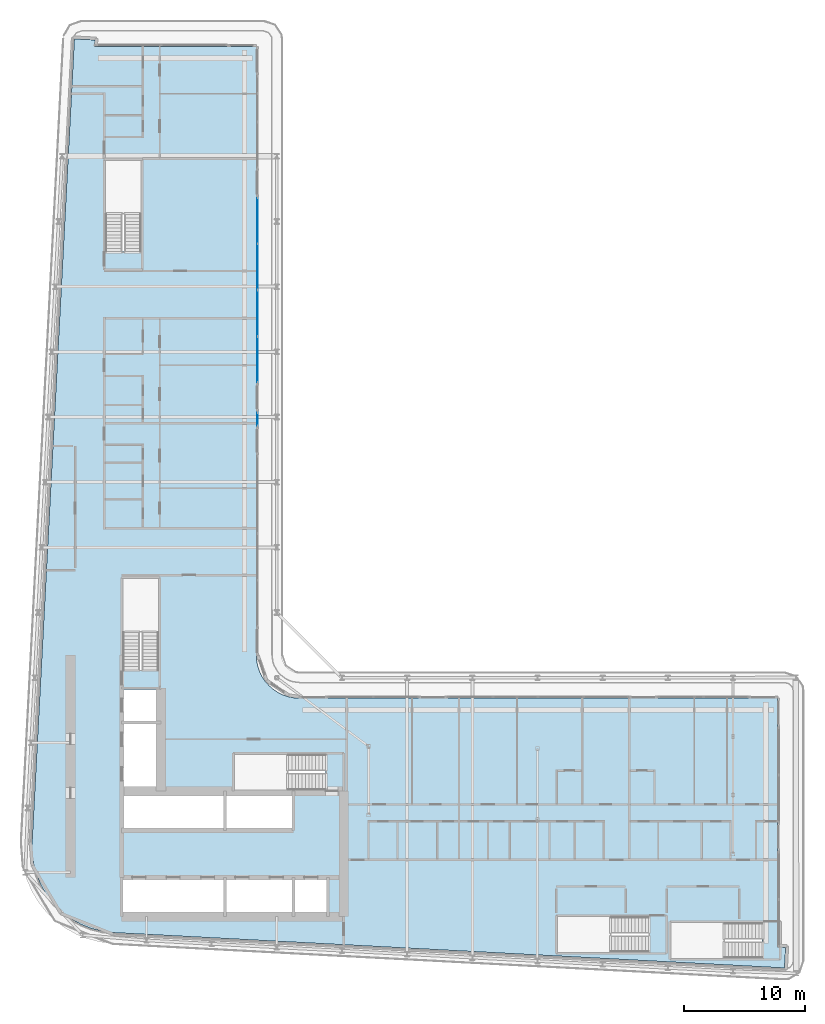
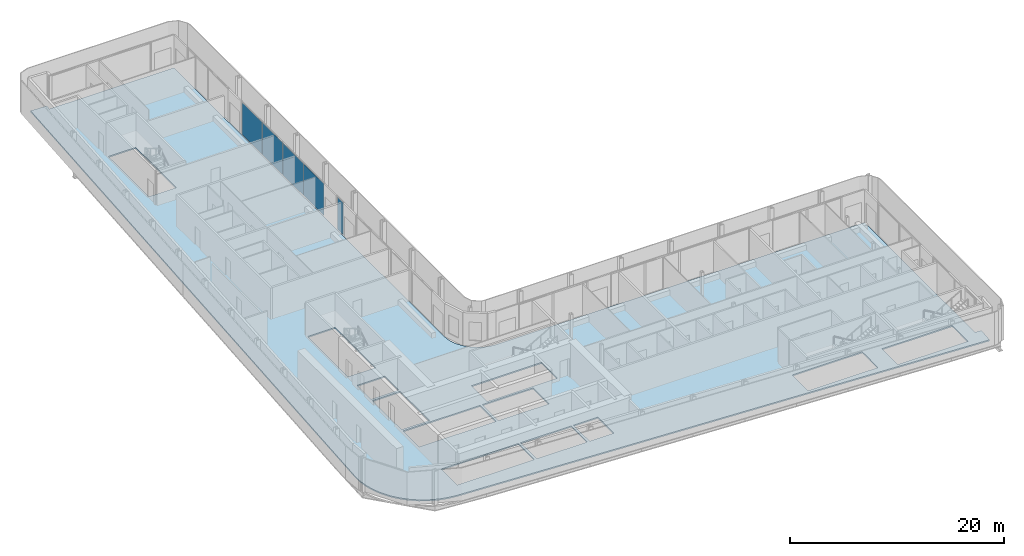
# One storey, part 11 of 26: 5 plates, 1 slab, 3 elements without a shape of their own.
"""IFC4 building model written with IfcOpenShell, lengths in metres."""

import ifcopenshell
import ifcopenshell.guid

model = None  # the IFC model being written
_history = None  # IfcOwnerHistory: only IFC2X3 demands one
_inside = {}  # id of a spatial element -> (the spatial element, [elements in it])
_under = {}  # id of a project, library or spatial element -> (it, [spatial elements below it])
_declared = {}  # id of a project -> (the project, [libraries it declares])
_typed = {}  # id of a type object -> (the type object, [elements of that type])
_made_of = {}  # id of a material, layer set ... -> (it, [elements and type objects made of it])


def new_model(schema):
    """Start an empty IFC model of exactly this schema.

    Asked for "IFC4X3", IfcOpenShell would pick the latest addendum, in which some entities
    have other attributes; the version numbers below select the first issue.
    IFC2X3 requires an IfcOwnerHistory on every rooted entity: one is made here for all.
    """
    global model, _history
    if schema == "IFC4X3":
        model = ifcopenshell.file(schema_version=(4, 3, 0, 0))
    else:
        model = ifcopenshell.file(schema=schema)
    _inside.clear()
    _under.clear()
    _declared.clear()
    _typed.clear()
    _made_of.clear()
    _history = None
    if model.schema == "IFC2X3":
        org = make("IfcOrganization", Name="unknown")
        user = make(
            "IfcPersonAndOrganization",
            ThePerson=make("IfcPerson", FamilyName="unknown"),
            TheOrganization=org,
        )
        app = make(
            "IfcApplication",
            ApplicationDeveloper=org,
            Version="unknown",
            ApplicationFullName="unknown",
            ApplicationIdentifier="unknown",
        )
        _history = make(
            "IfcOwnerHistory",
            OwningUser=user,
            OwningApplication=app,
            ChangeAction="ADDED",
            CreationDate=0,
        )
    return model


def make(cls, **values):
    """One entity of the class cls with the attributes given. An attribute that is None is left unset."""
    return model.create_entity(
        cls, **{name: value for name, value in values.items() if value is not None}
    )


def rooted(cls, **values):
    """An entity with a GlobalId (a new one), such as an element, a storey or a relation."""
    return make(cls, GlobalId=ifcopenshell.guid.new(), OwnerHistory=_history, **values)


def si_unit(unit_type, name, prefix=None):
    """IfcSIUnit, for example si_unit("LENGTHUNIT", "METRE", prefix="MILLI")."""
    return make("IfcSIUnit", UnitType=unit_type, Prefix=prefix, Name=name)


def assignment(units):
    """IfcUnitAssignment: the units of a project."""
    return None if units is None else make("IfcUnitAssignment", Units=units)


def point(xyz):
    """IfcCartesianPoint."""
    return None if xyz is None else make("IfcCartesianPoint", Coordinates=xyz)


def direction(xyz):
    """IfcDirection."""
    return None if xyz is None else make("IfcDirection", DirectionRatios=xyz)


def frame(location, z_axis=None, x_axis=None):
    """IfcAxis2Placement3D, a coordinate frame: its origin and axes. An axis left out is left unset."""
    return make(
        "IfcAxis2Placement3D",
        Location=point(location),
        Axis=direction(z_axis),
        RefDirection=direction(x_axis),
    )


def frame_2d(location, x_axis=None):
    """IfcAxis2Placement2D, a coordinate frame in the plane: its origin and x axis."""
    return make(
        "IfcAxis2Placement2D", Location=point(location), RefDirection=direction(x_axis)
    )


def origin():
    """The frame at (0, 0, 0) with its axes left unset."""
    return frame((0.0, 0.0, 0.0))


def origin_2d():
    """The frame at (0, 0) in the plane with its x axis left unset."""
    return frame_2d((0.0, 0.0))


def place(relative_to, where):
    """IfcLocalPlacement: puts the frame where relative to a parent placement (None: the world)."""
    return make(
        "IfcLocalPlacement", PlacementRelTo=relative_to, RelativePlacement=where
    )


def context(
    kind, dimensions, precision=None, world=None, true_north=None, identifier=None
):
    """IfcGeometricRepresentationContext, for example the 3D "Model" context."""
    return make(
        "IfcGeometricRepresentationContext",
        ContextIdentifier=identifier,
        ContextType=kind,
        CoordinateSpaceDimension=dimensions,
        Precision=precision,
        WorldCoordinateSystem=world,
        TrueNorth=true_north,
    )


def subcontext(parent, identifier, kind, view, scale=None):
    """IfcGeometricRepresentationSubContext, for example "Body" below "Model"."""
    return make(
        "IfcGeometricRepresentationSubContext",
        ContextIdentifier=identifier,
        ContextType=kind,
        ParentContext=parent,
        TargetScale=scale,
        TargetView=view,
    )


def project(units=None, contexts=None):
    """IfcProject with its units and contexts."""
    return rooted(
        "IfcProject",
        Name="project",
        RepresentationContexts=contexts,
        UnitsInContext=assignment(units),
    )


def spatial(cls, under=None, at=None, **own):
    """A site, building, storey or space (cls), placed at a placement, below another one or the project."""
    s = rooted(cls, ObjectPlacement=at, **own)
    if under is not None:
        _under.setdefault(under.id(), (under, []))[1].append(s)
    return s


def polyline(points):
    """IfcPolyline through the points."""
    return make("IfcPolyline", Points=[point(p) for p in points])


def profile(cls, at=None, kind="AREA", **sizes):
    """A parametric profile (cls). Its sizes go by their IFC names, for example OverallWidth=200.0."""
    return make(cls, ProfileType=kind, Position=at, **sizes)


def rectangle(**sizes):
    """IfcRectangleProfileDef."""
    return profile("IfcRectangleProfileDef", **sizes)


def outline(outer, holes=None, kind="AREA"):
    """IfcArbitraryClosedProfileDef: a profile drawn as a closed curve; with holes, ...WithVoids."""
    if holes is None:
        return make("IfcArbitraryClosedProfileDef", ProfileType=kind, OuterCurve=outer)
    return make(
        "IfcArbitraryProfileDefWithVoids",
        ProfileType=kind,
        OuterCurve=outer,
        InnerCurves=holes,
    )


def extrude(swept, where, along, depth):
    """IfcExtrudedAreaSolid: the profile swept, set in the frame where, extruded along a direction by depth."""
    return make(
        "IfcExtrudedAreaSolid",
        SweptArea=swept,
        Position=where,
        ExtrudedDirection=direction(along),
        Depth=depth,
    )


def shape(context_of_items, identifier, shape_type, items):
    """IfcShapeRepresentation: the items that make up one representation, for example the "Body"."""
    return make(
        "IfcShapeRepresentation",
        ContextOfItems=context_of_items,
        RepresentationIdentifier=identifier,
        RepresentationType=shape_type,
        Items=items,
    )


def material(Name=None, Category=None):
    """IfcMaterial."""
    return make("IfcMaterial", Name=Name, Category=Category)


def layer(
    of_material, thickness, ventilated=None, Name=None, Category=None, Priority=None
):
    """IfcMaterialLayer: one layer of a wall or slab, of a material (None: an air gap)."""
    return make(
        "IfcMaterialLayer",
        Material=of_material,
        LayerThickness=thickness,
        IsVentilated=ventilated,
        Name=Name,
        Category=Category,
        Priority=Priority,
    )


def layer_set(layers, Name=None):
    """IfcMaterialLayerSet."""
    return make("IfcMaterialLayerSet", MaterialLayers=layers, LayerSetName=Name)


def made_of(thing, what):
    """Note that an element or type object is made of a material, layer set ...; save() writes the relation."""
    if what is not None:
        _made_of.setdefault(what.id(), (what, []))[1].append(thing)
    return thing


def type_object(cls, material=None, **own):
    """A type object (cls), such as IfcWallType, which elements share."""
    return made_of(rooted(cls, **own), material)


def element(
    cls,
    number,
    at=None,
    inside=None,
    cuts=None,
    type_object=None,
    material=None,
    context=None,
    identifier="Body",
    shape_type=None,
    held_by="IfcProductDefinitionShape",
    body=None,
    shapes=None,
    **own,
):
    """One element of the class cls, such as IfcWall. Its Tag is "e" and its number.

    at: its placement. inside: the storey or other place that contains it. cuts: it is an
    opening in that element (IfcRelVoidsElement). A single representation is given by context,
    identifier, shape_type and body (its items); several are given by shapes. held_by: the class
    of the entity that holds the representations. save() writes the other relations.
    """
    e = rooted(cls, Tag="e%d" % number, ObjectPlacement=at, **own)
    if body is not None:
        shapes = [shape(context, identifier, shape_type, body)]
    if shapes is not None:
        e.Representation = make(held_by, Representations=shapes)
    if inside is not None:
        _inside.setdefault(inside.id(), (inside, []))[1].append(e)
    if cuts is not None:
        rooted(
            "IfcRelVoidsElement", RelatingBuildingElement=cuts, RelatedOpeningElement=e
        )
    if type_object is not None:
        _typed.setdefault(type_object.id(), (type_object, []))[1].append(e)
    return made_of(e, material)


def aggregate(whole, parts):
    """IfcRelAggregates: a whole, such as a stair, and the parts it consists of."""
    return rooted("IfcRelAggregates", RelatingObject=whole, RelatedObjects=parts)


def save(model, path):
    """Write the relations noted so far, then the file.

    IfcRelAggregates (storeys below a building ...), IfcRelContainedInSpatialStructure (elements
    in a storey), IfcRelDefinesByType, IfcRelAssociatesMaterial and IfcRelDeclares: one each for
    every whole, place, type object, material and project.
    """
    for whole, parts in _under.values():
        aggregate(whole, parts)
    for where, things in _inside.values():
        rooted(
            "IfcRelContainedInSpatialStructure",
            RelatedElements=things,
            RelatingStructure=where,
        )
    for kind, things in _typed.values():
        rooted("IfcRelDefinesByType", RelatedObjects=things, RelatingType=kind)
    for what, things in _made_of.values():
        rooted("IfcRelAssociatesMaterial", RelatedObjects=things, RelatingMaterial=what)
    for by, libraries in _declared.values():
        rooted("IfcRelDeclares", RelatingContext=by, RelatedDefinitions=libraries)
    model.write(path)


model = new_model("IFC4")

# Units and contexts
model_context = context("Model", 3, precision=1e-05, world=origin(), true_north=direction((0.0, 1.0)))
body_context = subcontext(model_context, "Body", "Model", "MODEL_VIEW")
ifc_project = project(units=[si_unit("LENGTHUNIT", "METRE"), si_unit("AREAUNIT", "SQUARE_METRE"), si_unit("VOLUMEUNIT", "CUBIC_METRE"), si_unit("PLANEANGLEUNIT", "RADIAN"), si_unit("MASSUNIT", "GRAM", prefix="KILO")], contexts=[model_context])

# Site, building, storey
site_placement = place(None, origin())
site = spatial("IfcSite", under=ifc_project, at=site_placement, CompositionType="ELEMENT")
building_placement = place(site_placement, origin())
building = spatial("IfcBuilding", under=site, at=building_placement, Name="Kheshtan School and Residences Tower", CompositionType="ELEMENT")
storey_placement = place(building_placement, frame((0.0, 0.0, 156.5)))
storey = spatial("IfcBuildingStorey", under=building, at=storey_placement, Name="L36", CompositionType="ELEMENT", Elevation=156.5)

# Curtain wall, plates
ifc_material_1 = material(Name="Clear low-e glass in thermally broken aluminium frame", Category="aluminium")
ifc_layer_1 = layer(ifc_material_1, 0.199951171875)
ifc_layer_set_1 = layer_set([ifc_layer_1], Name="Curtain wall CW-L")
curtain_wall_type = type_object("IfcCurtainWallType", Name="Curtain wall CW-L", PredefinedType="NOTDEFINED", material=ifc_layer_set_1)
curtain_wall_1_placement = place(storey_placement, origin())
curtain_wall_1 = element("IfcCurtainWall", 1, at=curtain_wall_1_placement, inside=storey, type_object=curtain_wall_type, Name="Curtain wall CWL8", PredefinedType="NOTDEFINED")
ifc_layer_2 = layer(ifc_material_1, 0.031982421875)
ifc_layer_set_2 = layer_set([ifc_layer_2], Name="CW-L glass panel")
plate_type = type_object("IfcPlateType", Name="CW-L glass panel", PredefinedType="CURTAIN_PANEL", material=ifc_layer_set_2)
plate_1_placement = place(storey_placement, frame((46.0, 83.467529296875, 0.0), z_axis=(0.0, 0.0, 1.0), x_axis=(0.0, -1.0, 0.0)))
plate_1 = element("IfcPlate", 2, at=plate_1_placement, type_object=plate_type, Name="CWL8 panel 1.1", PredefinedType="CURTAIN_PANEL", context=body_context, shape_type="SweptSolid", body=[
    extrude(rectangle(XDim=3.757080078125, YDim=0.031982421875, at=origin_2d()), origin(), (0.0, 0.0, 1.0), 3.6298828125),
])
plate_2_placement = place(storey_placement, frame((46.0, 79.650390625, 0.0), z_axis=(0.0, 0.0, 1.0), x_axis=(0.0, -1.0, 0.0)))
plate_2 = element("IfcPlate", 3, at=plate_2_placement, type_object=plate_type, Name="CWL8 panel 2.1", PredefinedType="CURTAIN_PANEL", context=body_context, shape_type="SweptSolid", body=[
    extrude(rectangle(XDim=3.757080078125, YDim=0.031982421875, at=origin_2d()), origin(), (0.0, 0.0, 1.0), 3.6298828125),
])
aggregate(curtain_wall_1, [plate_1, plate_2])

curtain_wall_2_placement = place(storey_placement, origin())
curtain_wall_2 = element("IfcCurtainWall", 4, at=curtain_wall_2_placement, inside=storey, type_object=curtain_wall_type, Name="Curtain wall CWL8", PredefinedType="NOTDEFINED")
plate_3_placement = place(storey_placement, frame((46.0, 75.803466796875, 0.0), z_axis=(0.0, 0.0, 1.0), x_axis=(0.0, -1.0, 0.0)))
plate_3 = element("IfcPlate", 5, at=plate_3_placement, type_object=plate_type, Name="CWL8 panel 1.1", PredefinedType="CURTAIN_PANEL", context=body_context, shape_type="SweptSolid", body=[
    extrude(rectangle(XDim=3.81689453125, YDim=0.031982421875, at=origin_2d()), origin(), (0.0, 0.0, 1.0), 3.6298828125),
])
plate_4_placement = place(storey_placement, frame((46.0, 71.95654296875, 0.0), z_axis=(0.0, 0.0, 1.0), x_axis=(0.0, -1.0, 0.0)))
plate_4 = element("IfcPlate", 6, at=plate_4_placement, type_object=plate_type, Name="CWL8 panel 2.1", PredefinedType="CURTAIN_PANEL", context=body_context, shape_type="SweptSolid", body=[
    extrude(rectangle(XDim=3.757080078125, YDim=0.031982421875, at=origin_2d()), origin(), (0.0, 0.0, 1.0), 3.6298828125),
])
aggregate(curtain_wall_2, [plate_3, plate_4])

# Curtain wall, plate
curtain_wall_3_placement = place(storey_placement, origin())
curtain_wall_3 = element("IfcCurtainWall", 7, at=curtain_wall_3_placement, inside=storey, type_object=curtain_wall_type, Name="Curtain wall CWL8g", PredefinedType="NOTDEFINED")
plate_5_placement = place(storey_placement, frame((46.0, 67.01806640625, 0.0), z_axis=(0.0, 0.0, 1.0), x_axis=(0.0, -1.0, 0.0)))
plate_5 = element("IfcPlate", 8, at=plate_5_placement, type_object=plate_type, Name="CWL8g panel 1.1", PredefinedType="CURTAIN_PANEL", context=body_context, shape_type="SweptSolid", body=[
    extrude(rectangle(XDim=1.080078125, YDim=0.031982421875, at=origin_2d()), origin(), (0.0, 0.0, 1.0), 3.6298828125),
])
aggregate(curtain_wall_3, [plate_5])

# Slab
ifc_material_2 = material(Name="Concrete C40/50", Category="concrete")
ifc_layer_3 = layer(ifc_material_2, 0.14990234375)
ifc_layer_set_3 = layer_set([ifc_layer_3], Name="Floor slab 150 Concrete C40/50")
slab_type = type_object("IfcSlabType", Name="Floor slab 150 Concrete C40/50", PredefinedType="FLOOR", material=ifc_layer_set_3)
slab_placement = place(storey_placement, frame((0.0, 0.0, -0.14990234375)))
element("IfcSlab", 9, at=slab_placement, inside=storey, type_object=slab_type, Name="Floor slab L36", PredefinedType="FLOOR", context=body_context, shape_type="SweptSolid", body=[
    extrude(outline(polyline([(27.718017578125, 29.200927734375), (27.466064453125, 30.093017578125), (27.466064453125, 30.093994140625), (27.3330078125, 31.013916015625), (27.320068359375, 31.965087890625), (27.320068359375, 31.970947265625), (30.822021484375, 98.5009765625), (30.822998046875, 98.508056640625), (30.825927734375, 98.531005859375), (30.825927734375, 98.531982421875), (30.826904296875, 98.531982421875), (31.422119140625, 98.5), (31.423095703125, 98.5), (31.423095703125, 98.4990234375), (31.423095703125, 98.4951171875), (31.423095703125, 98.493896484375), (31.424072265625, 98.493896484375), (31.424072265625, 98.492919921875), (31.425048828125, 98.492919921875), (31.426025390625, 98.492919921875), (31.426025390625, 98.493896484375), (31.427978515625, 98.49609375), (31.428955078125, 98.4970703125), (31.429931640625, 98.498046875), (31.430908203125, 98.498046875), (31.430908203125, 98.4990234375), (31.431884765625, 98.4990234375), (31.431884765625, 98.5), (31.43505859375, 98.5009765625), (31.43603515625, 98.501953125), (31.43896484375, 98.501953125), (31.43994140625, 98.501953125), (31.43994140625, 98.5029296875), (31.44091796875, 98.5029296875), (31.446044921875, 98.5029296875), (32.5009765625, 98.447021484375), (32.50390625, 98.447021484375), (32.5048828125, 98.447021484375), (32.5048828125, 98.446044921875), (32.506103515625, 98.446044921875), (32.510009765625, 98.446044921875), (32.510009765625, 98.445068359375), (32.510986328125, 98.445068359375), (32.510986328125, 98.444091796875), (32.511962890625, 98.444091796875), (32.511962890625, 98.443115234375), (32.512939453125, 98.443115234375), (32.513916015625, 98.443115234375), (32.513916015625, 98.44189453125), (32.514892578125, 98.44189453125), (32.51611328125, 98.44189453125), (32.51904296875, 98.43896484375), (32.51904296875, 98.43798828125), (32.51904296875, 98.43701171875), (32.52001953125, 98.43701171875), (32.52001953125, 98.43603515625), (32.52099609375, 98.43603515625), (32.52099609375, 98.43408203125), (32.52099609375, 98.43310546875), (32.52197265625, 98.43310546875), (32.52197265625, 98.431884765625), (32.52294921875, 98.431884765625), (32.52294921875, 98.430908203125), (32.52294921875, 98.428955078125), (32.52294921875, 98.427978515625), (32.52392578125, 98.427978515625), (32.52392578125, 98.427001953125), (32.52392578125, 98.422119140625), (32.4970703125, 97.9208984375), (32.4970703125, 97.91796875), (32.4970703125, 97.9169921875), (32.49609375, 97.9169921875), (32.49609375, 97.916015625), (32.49609375, 97.912109375), (32.4951171875, 97.910888671875), (32.4951171875, 97.909912109375), (32.493896484375, 97.909912109375), (32.493896484375, 97.908935546875), (32.492919921875, 97.908935546875), (32.492919921875, 97.907958984375), (32.489013671875, 97.904052734375), (32.488037109375, 97.904052734375), (32.488037109375, 97.903076171875), (32.488037109375, 97.902099609375), (32.488037109375, 97.90087890625), (32.489013671875, 97.90087890625), (32.489013671875, 97.89990234375), (32.489990234375, 97.89990234375), (45.85498046875, 97.89990234375), (45.864990234375, 97.89794921875), (45.865966796875, 97.89794921875), (45.868896484375, 97.89599609375), (45.8740234375, 97.89404296875), (45.8779296875, 97.89208984375), (45.881103515625, 97.889892578125), (45.881103515625, 97.888916015625), (45.882080078125, 97.888916015625), (45.882080078125, 97.887939453125), (45.883056640625, 97.887939453125), (45.884033203125, 97.885009765625), (45.885009765625, 97.885009765625), (45.885009765625, 97.884033203125), (45.887939453125, 97.883056640625), (45.887939453125, 97.882080078125), (45.888916015625, 97.882080078125), (45.888916015625, 97.881103515625), (45.889892578125, 97.881103515625), (45.89208984375, 97.8779296875), (45.89404296875, 97.8740234375), (45.89599609375, 97.868896484375), (45.89794921875, 97.865966796875), (45.89794921875, 97.864990234375), (45.89990234375, 97.85498046875), (45.89990234375, 47.429931640625), (45.927001953125, 47.030029296875), (46.01806640625, 46.570068359375), (46.01806640625, 46.569091796875), (46.169921875, 46.1201171875), (46.37890625, 45.697021484375), (46.638916015625, 45.30810546875), (46.949951171875, 44.950927734375), (46.950927734375, 44.949951171875), (47.30810546875, 44.638916015625), (47.697021484375, 44.37890625), (48.1201171875, 44.169921875), (48.569091796875, 44.01806640625), (48.570068359375, 44.01806640625), (49.030029296875, 43.927001953125), (49.429931640625, 43.89990234375), (89.054931640625, 43.89990234375), (89.06494140625, 43.89794921875), (89.06591796875, 43.89794921875), (89.069091796875, 43.89599609375), (89.073974609375, 43.89404296875), (89.077880859375, 43.89208984375), (89.0810546875, 43.889892578125), (89.0810546875, 43.888916015625), (89.08203125, 43.888916015625), (89.08203125, 43.887939453125), (89.0830078125, 43.887939453125), (89.083984375, 43.885009765625), (89.0849609375, 43.885009765625), (89.0849609375, 43.884033203125), (89.087890625, 43.883056640625), (89.087890625, 43.882080078125), (89.089111328125, 43.882080078125), (89.089111328125, 43.881103515625), (89.090087890625, 43.881103515625), (89.092041015625, 43.8779296875), (89.093994140625, 43.8740234375), (89.095947265625, 43.868896484375), (89.097900390625, 43.865966796875), (89.097900390625, 43.864990234375), (89.10009765625, 43.85498046875), (89.10009765625, 23.278076171875), (89.10009765625, 23.277099609375), (89.10107421875, 23.277099609375), (89.10107421875, 23.27587890625), (89.10205078125, 23.27587890625), (89.10302734375, 23.27587890625), (89.10302734375, 23.277099609375), (89.10498046875, 23.279052734375), (89.10595703125, 23.280029296875), (89.10693359375, 23.281005859375), (89.10791015625, 23.281005859375), (89.10791015625, 23.281982421875), (89.10888671875, 23.281982421875), (89.10888671875, 23.282958984375), (89.110107421875, 23.282958984375), (89.112060546875, 23.283935546875), (89.113037109375, 23.284912109375), (89.115966796875, 23.284912109375), (89.116943359375, 23.284912109375), (89.116943359375, 23.285888671875), (89.117919921875, 23.285888671875), (89.123046875, 23.285888671875), (89.738037109375, 23.2529296875), (89.740966796875, 23.2529296875), (89.741943359375, 23.2529296875), (89.741943359375, 23.251953125), (89.742919921875, 23.251953125), (89.7470703125, 23.251953125), (89.7470703125, 23.2509765625), (89.748046875, 23.2509765625), (89.748046875, 23.25), (89.7490234375, 23.25), (89.7490234375, 23.2490234375), (89.75, 23.2490234375), (89.7509765625, 23.2490234375), (89.7509765625, 23.248046875), (89.751953125, 23.248046875), (89.7529296875, 23.248046875), (89.7529296875, 23.2470703125), (89.7548828125, 23.2451171875), (89.756103515625, 23.2451171875), (89.756103515625, 23.243896484375), (89.756103515625, 23.242919921875), (89.757080078125, 23.242919921875), (89.757080078125, 23.241943359375), (89.758056640625, 23.241943359375), (89.758056640625, 23.239990234375), (89.758056640625, 23.239013671875), (89.759033203125, 23.239013671875), (89.759033203125, 23.238037109375), (89.760009765625, 23.238037109375), (89.760009765625, 23.237060546875), (89.760009765625, 23.235107421875), (89.760009765625, 23.23388671875), (89.760986328125, 23.23388671875), (89.760986328125, 23.23291015625), (89.760986328125, 23.22802734375), (89.705078125, 22.169921875), (89.705078125, 22.1669921875), (89.705078125, 22.166015625), (89.7041015625, 22.166015625), (89.7041015625, 22.1650390625), (89.7041015625, 22.160888671875), (89.702880859375, 22.159912109375), (89.702880859375, 22.158935546875), (89.701904296875, 22.158935546875), (89.701904296875, 22.157958984375), (89.700927734375, 22.157958984375), (89.700927734375, 22.156982421875), (89.699951171875, 22.156005859375), (89.697998046875, 22.154052734375), (89.697021484375, 22.153076171875), (89.696044921875, 22.153076171875), (89.696044921875, 22.152099609375), (89.696044921875, 22.15087890625), (89.696044921875, 22.14990234375), (89.697021484375, 22.14990234375), (89.697021484375, 22.14892578125), (89.697998046875, 22.14892578125), (89.698974609375, 22.14892578125), (89.699951171875, 22.14892578125), (89.699951171875, 22.14794921875), (89.66796875, 21.553955078125), (89.66796875, 21.552978515625), (89.6669921875, 21.552978515625), (89.64306640625, 21.552001953125), (89.637939453125, 21.552001953125), (34.056884765625, 24.47802734375), (33.114990234375, 24.590087890625), (32.215087890625, 24.819091796875), (32.214111328125, 24.819091796875), (31.35205078125, 25.1630859375), (30.541015625, 25.616943359375), (29.799072265625, 26.1708984375), (29.799072265625, 26.172119140625), (29.798095703125, 26.172119140625), (29.134033203125, 26.820068359375), (29.134033203125, 26.821044921875), (29.133056640625, 26.821044921875), (28.55908203125, 27.550048828125), (28.0849609375, 28.345947265625), (27.718017578125, 29.200927734375)]), holes=[polyline([(89.10009765625, 22.155029296875), (89.10009765625, 22.15087890625), (89.10009765625, 22.14990234375), (89.10107421875, 22.14990234375), (89.10107421875, 22.14892578125), (89.10205078125, 22.14892578125), (89.10595703125, 22.14892578125), (89.10693359375, 22.14892578125), (89.10693359375, 22.14990234375), (89.10791015625, 22.14990234375), (89.10791015625, 22.15087890625), (89.10791015625, 22.152099609375), (89.10693359375, 22.152099609375), (89.10595703125, 22.153076171875), (89.10498046875, 22.154052734375), (89.10400390625, 22.155029296875), (89.10302734375, 22.156005859375), (89.10302734375, 22.156982421875), (89.10205078125, 22.156982421875), (89.10107421875, 22.156982421875), (89.10107421875, 22.156005859375), (89.10009765625, 22.156005859375), (89.10009765625, 22.155029296875)]), polyline([(31.423095703125, 97.906005859375), (31.423095703125, 97.902099609375), (31.423095703125, 97.90087890625), (31.424072265625, 97.90087890625), (31.424072265625, 97.89990234375), (31.425048828125, 97.89990234375), (31.428955078125, 97.89990234375), (31.429931640625, 97.89990234375), (31.429931640625, 97.90087890625), (31.430908203125, 97.90087890625), (31.430908203125, 97.902099609375), (31.430908203125, 97.903076171875), (31.429931640625, 97.903076171875), (31.428955078125, 97.904052734375), (31.427978515625, 97.905029296875), (31.427001953125, 97.906005859375), (31.426025390625, 97.906982421875), (31.426025390625, 97.907958984375), (31.425048828125, 97.907958984375), (31.424072265625, 97.907958984375), (31.424072265625, 97.906982421875), (31.423095703125, 97.906982421875), (31.423095703125, 97.906005859375)]), polyline([(34.875, 28.925048828125), (34.875, 25.925048828125), (43.175048828125, 25.925048828125), (43.175048828125, 28.925048828125), (34.875, 28.925048828125)]), polyline([(43.175048828125, 36.074951171875), (34.875, 36.074951171875), (34.875, 33.074951171875), (43.175048828125, 33.074951171875), (43.175048828125, 36.074951171875)]), polyline([(34.875, 41.77490234375), (34.875, 36.324951171875), (37.875, 36.324951171875), (37.875, 41.77490234375), (34.875, 41.77490234375)]), polyline([(34.875, 42.02490234375), (37.875, 42.02490234375), (37.875, 44.625), (34.875, 44.625), (34.875, 42.02490234375)]), polyline([(37.800048828125, 46.25), (37.800048828125, 53.81005859375), (34.85009765625, 53.81005859375), (34.85009765625, 46.260009765625), (36.25, 46.260009765625), (36.25, 46.25), (37.800048828125, 46.25)]), polyline([(33.39990234375, 88.4599609375), (33.39990234375, 80.909912109375), (34.800048828125, 80.909912109375), (34.800048828125, 80.89990234375), (36.35009765625, 80.89990234375), (36.35009765625, 88.4599609375), (33.39990234375, 88.4599609375)]), polyline([(87.81005859375, 22.35009765625), (87.81005859375, 23.75), (87.820068359375, 23.75), (87.820068359375, 25.300048828125), (80.260009765625, 25.300048828125), (80.260009765625, 22.35009765625), (87.81005859375, 22.35009765625)]), polyline([(70.85009765625, 22.85009765625), (78.39990234375, 22.85009765625), (78.39990234375, 24.25), (78.409912109375, 24.25), (78.409912109375, 25.800048828125), (70.85009765625, 25.800048828125), (70.85009765625, 22.85009765625)]), polyline([(43.425048828125, 25.925048828125), (48.875, 25.925048828125), (48.875, 28.925048828125), (43.425048828125, 28.925048828125), (43.425048828125, 25.925048828125)]), polyline([(49.125, 25.925048828125), (51.72509765625, 25.925048828125), (51.72509765625, 28.925048828125), (49.125, 28.925048828125), (49.125, 25.925048828125)]), polyline([(43.425048828125, 33.074951171875), (48.875, 33.074951171875), (48.875, 36.074951171875), (43.425048828125, 36.074951171875), (43.425048828125, 33.074951171875)]), polyline([(51.64990234375, 39.25), (44.090087890625, 39.25), (44.090087890625, 36.300048828125), (51.639892578125, 36.300048828125), (51.639892578125, 37.699951171875), (51.64990234375, 37.699951171875), (51.64990234375, 39.25)])]), origin(), (0.0, 0.0, 1.0), 0.14990234375),
])

save(model, "model.ifc")
